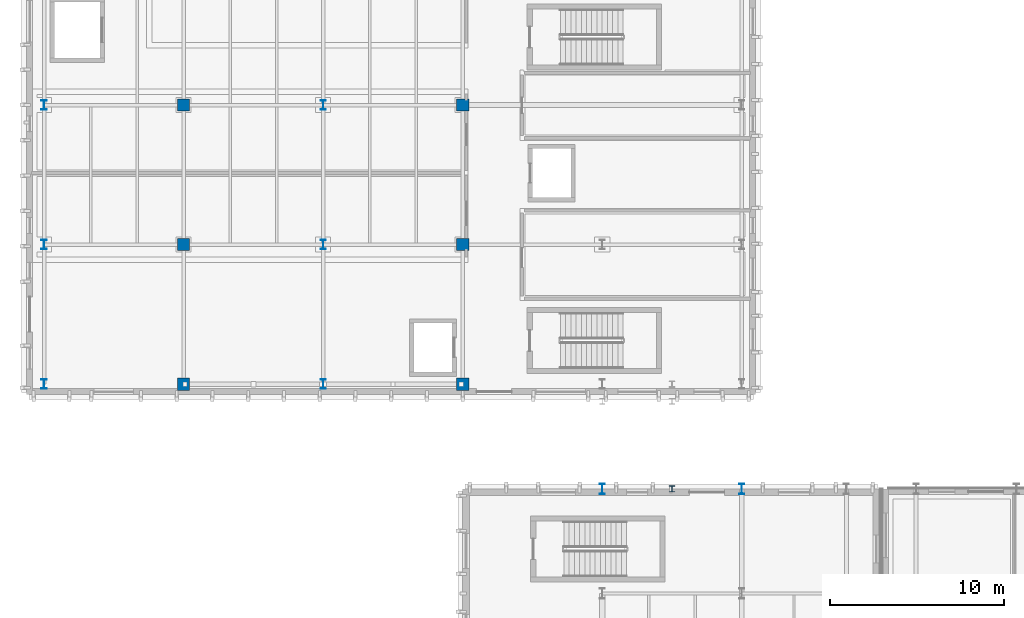
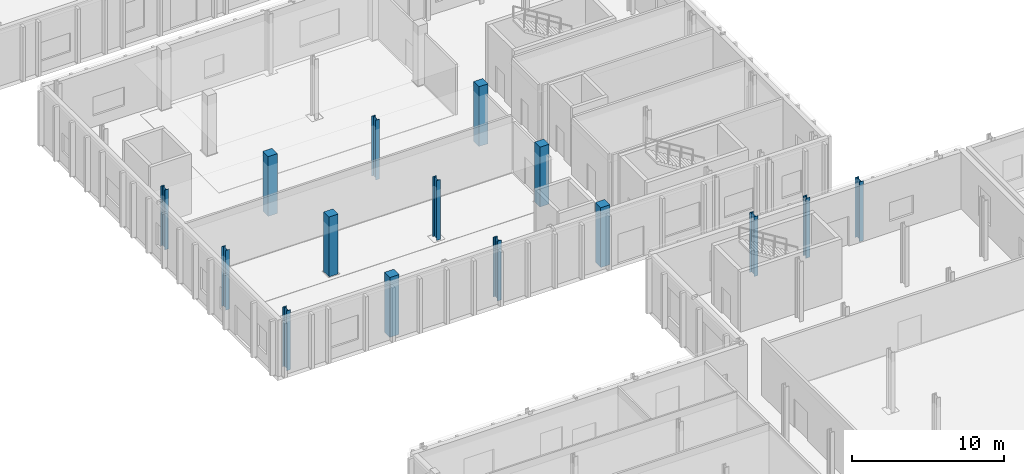
# One storey, part 3 of 60: 15 columns.
"""IFC4 building model written with IfcOpenShell, lengths in metres."""

from ifc_helpers import new_model, si_unit, direction, frame, origin, origin_2d, place, context, subcontext, project, spatial, rectangle, i_section, extrude, material, material_profile, profile_set, type_object, element, save


model = new_model("IFC4")

# Units and contexts
model_context = context("Model", 3, precision=1e-05, world=origin(), true_north=direction((0.0, 1.0)))
body_context = subcontext(model_context, "Body", "Model", "MODEL_VIEW")
ifc_project = project(units=[si_unit("LENGTHUNIT", "METRE"), si_unit("AREAUNIT", "SQUARE_METRE"), si_unit("VOLUMEUNIT", "CUBIC_METRE"), si_unit("PLANEANGLEUNIT", "RADIAN"), si_unit("MASSUNIT", "GRAM", prefix="KILO")], contexts=[model_context])

# Site, building, storey
site_placement = place(None, origin())
site = spatial("IfcSite", under=ifc_project, at=site_placement, CompositionType="ELEMENT")
building_placement = place(site_placement, origin())
building = spatial("IfcBuilding", under=site, at=building_placement, Name="Cymarion Research Institute", CompositionType="ELEMENT")
storey_placement = place(building_placement, origin())
storey = spatial("IfcBuildingStorey", under=building, at=storey_placement, Name="L00", CompositionType="ELEMENT", Elevation=0.0)

# Columns
ifc_material_1 = material(Name="Steel S355", Category="steel")
ifc_material_profile_1 = material_profile(ifc_material_1, i_section(OverallWidth=0.300048828125, OverallDepth=0.60009765625, WebThickness=0.015380859375, FlangeThickness=0.030029296875, FilletRadius=0.027099609375, at=origin_2d()), Name="HEB 600")
ifc_profile_set_1 = profile_set([ifc_material_profile_1], Name="Steel S355")
column_type_1 = type_object("IfcColumnType", Name="STRUCTURAL COLUMN C02 HEB 600", PredefinedType="COLUMN", material=ifc_profile_set_1)
for number, where, z_axis, x_axis, name in (
    (1, (38.60009765625, 41.5, 0.0), (0.0, 0.0, 1.0), (1.0, 0.0, 0.0), "L00 V3 column C02 #304"),
    (2, (46.60009765625, 41.5, 0.0), (0.0, 0.0, 1.0), (1.0, 0.0, 0.0), "L00 V3 column C02 #324"),
):
    element("IfcColumn", number, at=place(storey_placement, frame(where, z_axis=z_axis, x_axis=x_axis)), inside=storey, type_object=column_type_1, Name=name, PredefinedType="COLUMN", context=body_context, shape_type="SweptSolid", body=[
        extrude(i_section(OverallWidth=0.300048828125, OverallDepth=0.60009765625, WebThickness=0.015380859375, FlangeThickness=0.030029296875, FilletRadius=0.027099609375, at=origin_2d()), origin(), (0.0, 0.0, 1.0), 4.800048828125),
    ])
ifc_material_profile_2 = material_profile(ifc_material_1, i_section(OverallWidth=0.300048828125, OverallDepth=0.550048828125, WebThickness=0.014892578125, FlangeThickness=0.029052734375, FilletRadius=0.027099609375, at=origin_2d()), Name="HEB 550")
ifc_profile_set_2 = profile_set([ifc_material_profile_2], Name="Steel S355")
column_type_2 = type_object("IfcColumnType", Name="STRUCTURAL COLUMN C03 HEB 550", PredefinedType="COLUMN", material=ifc_profile_set_2)
for number, where, z_axis, x_axis, name in (
    (3, (6.60009765625, 47.5, 0.0), (0.0, 0.0, 1.0), (1.0, 0.0, 0.0), "L00 V4 column C03 #237"),
    (4, (6.60009765625, 55.5, 0.0), (0.0, 0.0, 1.0), (1.0, 0.0, 0.0), "L00 V4 column C03 #238"),
    (5, (6.60009765625, 63.5, 0.0), (0.0, 0.0, 1.0), (1.0, 0.0, 0.0), "L00 V4 column C03 #239"),
    (6, (22.60009765625, 47.5, 0.0), (0.0, 0.0, 1.0), (1.0, 0.0, 0.0), "L00 V4 column C03 #268"),
    (7, (22.60009765625, 55.5, 0.0), (0.0, 0.0, 1.0), (1.0, 0.0, 0.0), "L00 V4 column C03 #269"),
    (8, (22.60009765625, 63.5, 0.0), (0.0, 0.0, 1.0), (1.0, 0.0, 0.0), "L00 V4 column C03 #270"),
):
    element("IfcColumn", number, at=place(storey_placement, frame(where, z_axis=z_axis, x_axis=x_axis)), inside=storey, type_object=column_type_2, Name=name, PredefinedType="COLUMN", context=body_context, shape_type="SweptSolid", body=[
        extrude(i_section(OverallWidth=0.300048828125, OverallDepth=0.550048828125, WebThickness=0.014892578125, FlangeThickness=0.029052734375, FilletRadius=0.027099609375, at=origin_2d()), origin(), (0.0, 0.0, 1.0), 4.800048828125),
    ])
ifc_material_profile_3 = material_profile(ifc_material_1, i_section(OverallWidth=0.300048828125, OverallDepth=0.360107421875, WebThickness=0.012451171875, FlangeThickness=0.0224609375, FilletRadius=0.027099609375, at=origin_2d()), Name="HEB 360")
ifc_profile_set_3 = profile_set([ifc_material_profile_3], Name="Steel S355")
column_type_3 = type_object("IfcColumnType", Name="STRUCTURAL COLUMN C07 HEB 360", PredefinedType="COLUMN", material=ifc_profile_set_3)
column_placement = place(storey_placement, frame((42.60009765625, 41.5, 0.0), z_axis=(0.0, 0.0, 1.0), x_axis=(1.0, 0.0, 0.0)))
element("IfcColumn", 9, at=column_placement, inside=storey, type_object=column_type_3, Name="L00 V3 column C07 #317", PredefinedType="COLUMN", context=body_context, shape_type="SweptSolid", body=[
    extrude(i_section(OverallWidth=0.300048828125, OverallDepth=0.360107421875, WebThickness=0.012451171875, FlangeThickness=0.0224609375, FilletRadius=0.027099609375, at=origin_2d()), origin(), (0.0, 0.0, 1.0), 4.800048828125),
])
ifc_material_2 = material(Name="Concrete C40/50", Category="concrete")
ifc_material_profile_4 = material_profile(ifc_material_2, rectangle(XDim=0.699951171875, YDim=0.699951171875, at=origin_2d()), Name="RC 700x700")
ifc_profile_set_4 = profile_set([ifc_material_profile_4], Name="Concrete C40/50")
column_type_4 = type_object("IfcColumnType", Name="STRUCTURAL COLUMN C17 RC 700x700", PredefinedType="COLUMN", material=ifc_profile_set_4)
for number, where, z_axis, x_axis, name in (
    (10, (14.60009765625, 47.5, 0.0), (0.0, 0.0, 1.0), (1.0, 0.0, 0.0), "L00 V4 column C17 #253"),
    (11, (14.60009765625, 55.5, 0.0), (0.0, 0.0, 1.0), (1.0, 0.0, 0.0), "L00 V4 column C17 #254"),
    (12, (14.60009765625, 63.5, 0.0), (0.0, 0.0, 1.0), (1.0, 0.0, 0.0), "L00 V4 column C17 #255"),
    (13, (30.60009765625, 47.5, 0.0), (0.0, 0.0, 1.0), (1.0, 0.0, 0.0), "L00 V4 column C17 #284"),
    (14, (30.60009765625, 55.5, 0.0), (0.0, 0.0, 1.0), (1.0, 0.0, 0.0), "L00 V4 column C17 #285"),
    (15, (30.60009765625, 63.5, 0.0), (0.0, 0.0, 1.0), (1.0, 0.0, 0.0), "L00 V4 column C17 #286"),
):
    element("IfcColumn", number, at=place(storey_placement, frame(where, z_axis=z_axis, x_axis=x_axis)), inside=storey, type_object=column_type_4, Name=name, PredefinedType="COLUMN", context=body_context, shape_type="SweptSolid", body=[
        extrude(rectangle(XDim=0.699951171875, YDim=0.699951171875, at=origin_2d()), origin(), (0.0, 0.0, 1.0), 4.800048828125),
    ])

save(model, "model.ifc")
